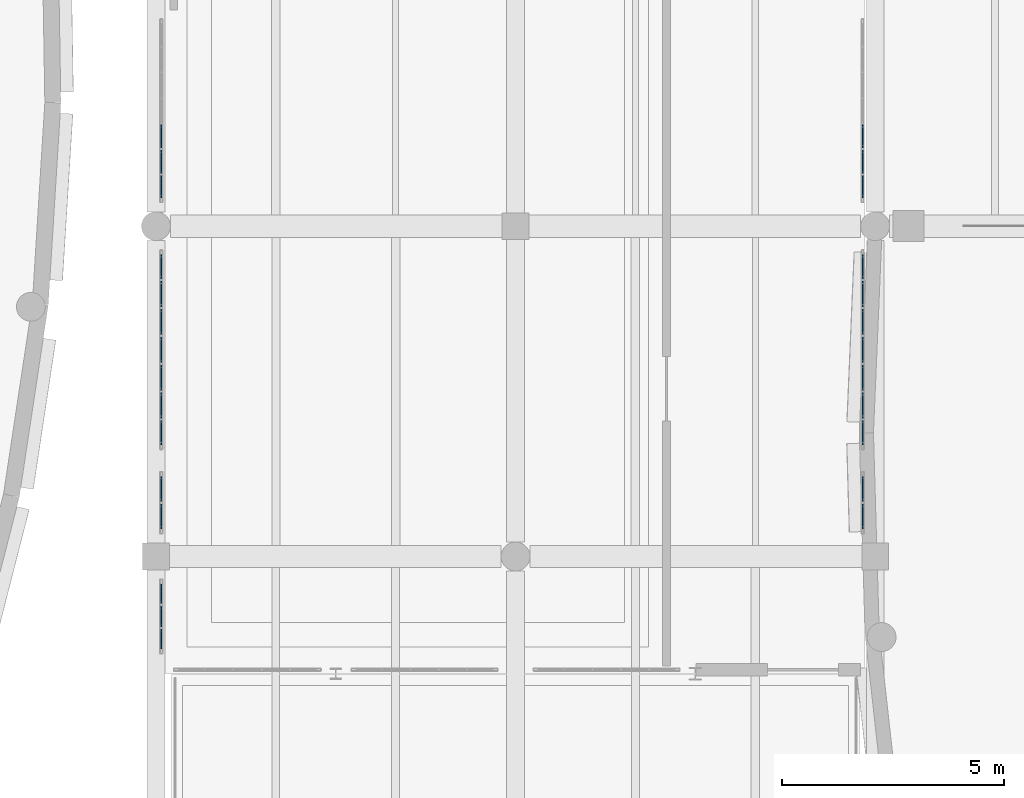
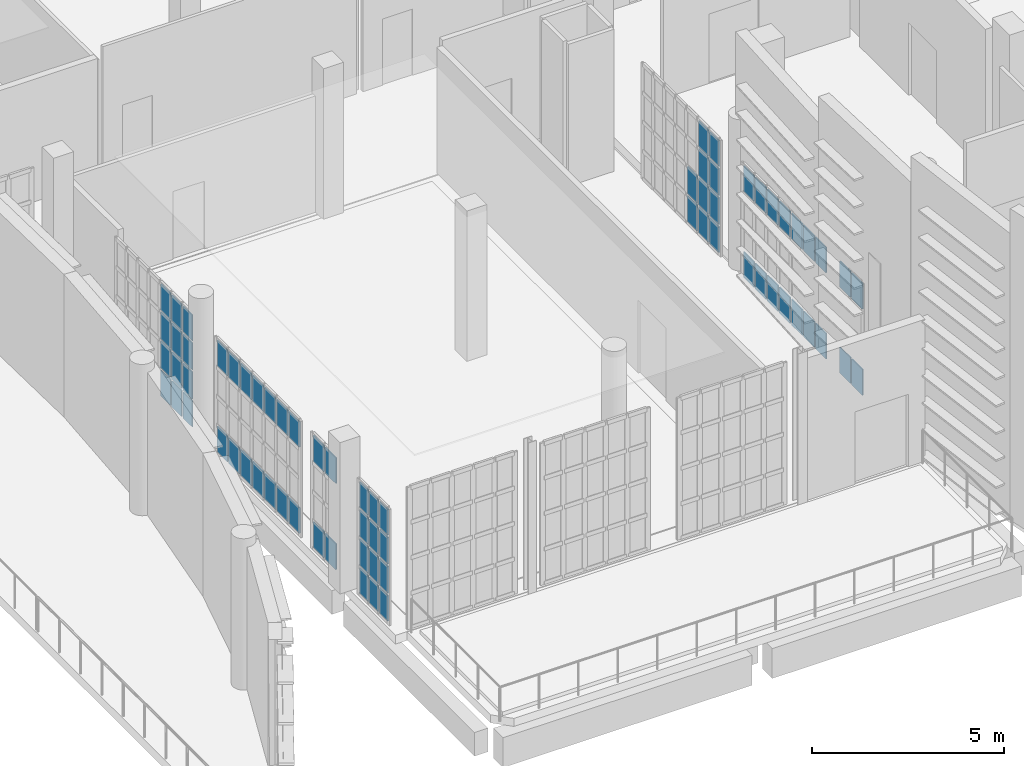
# One storey, part 83 of 104: 70 plates, 7 elements without a shape of their own.
"""IFC4 building model written with IfcOpenShell, lengths in metres."""

from ifc_helpers import new_model, si_unit, direction, frame, origin, origin_2d, place, context, subcontext, project, spatial, rectangle, extrude, material, layer, layer_set, type_object, element, aggregate, save


model = new_model("IFC4")

# Units and contexts
model_context = context("Model", 3, precision=1e-05, world=origin(), true_north=direction((0.0, 1.0)))
body_context = subcontext(model_context, "Body", "Model", "MODEL_VIEW")
ifc_project = project(units=[si_unit("LENGTHUNIT", "METRE"), si_unit("AREAUNIT", "SQUARE_METRE"), si_unit("VOLUMEUNIT", "CUBIC_METRE"), si_unit("PLANEANGLEUNIT", "RADIAN"), si_unit("MASSUNIT", "GRAM", prefix="KILO")], contexts=[model_context])

# Site, building, storey
site_placement = place(None, origin())
site = spatial("IfcSite", under=ifc_project, at=site_placement, CompositionType="ELEMENT")
building_placement = place(site_placement, origin())
building = spatial("IfcBuilding", under=site, at=building_placement, Name="Kaelora Sail Theatre", CompositionType="ELEMENT")
storey_placement = place(building_placement, frame((0.0, 0.0, 5.39990234375)))
storey = spatial("IfcBuildingStorey", under=building, at=storey_placement, Name="L01", CompositionType="ELEMENT", Elevation=5.39990234375)

# Curtain wall, plates
ifc_material_1 = material(Name="Anodised aluminium and solar-control low-E IGU", Category="aluminium")
curtain_wall_type = type_object("IfcCurtainWallType", Name="ARC-CW-CW-PROW", PredefinedType="NOTDEFINED", material=ifc_material_1)
curtain_wall_1_placement = place(storey_placement, origin())
curtain_wall_1 = element("IfcCurtainWall", 1, at=curtain_wall_1_placement, inside=storey, type_object=curtain_wall_type, Name="East Interstitial Foyer West Glazed Return L01-01", PredefinedType="NOTDEFINED")
ifc_material_2 = material(Name="Solar-control laminated low-E glass", Category="glass")
ifc_layer = layer(ifc_material_2, 0.031982421875)
ifc_layer_set = layer_set([ifc_layer], Name="Solar-control laminated low-E glass")
plate_type = type_object("IfcPlateType", Name="ARC-CW-PNL", PredefinedType="CURTAIN_PANEL", material=ifc_layer_set)
plate_1_placement = place(storey_placement, frame((106.919921875, 44.2783203125, 0.0703125), z_axis=(0.0, 0.0, 1.0), x_axis=(0.0, 1.0, 0.0)))
plate_1 = element("IfcPlate", 2, at=plate_1_placement, type_object=plate_type, Name="CW-PROW panel 1.1", PredefinedType="CURTAIN_PANEL", context=body_context, shape_type="SweptSolid", body=[
    extrude(rectangle(XDim=0.436767578125, YDim=0.031982421875, at=origin_2d()), origin(), (0.0, 0.0, 1.0), 0.816650390625),
])
plate_2_placement = place(storey_placement, frame((106.919921875, 44.2783203125, 0.95703125), z_axis=(0.0, 0.0, 1.0), x_axis=(0.0, 1.0, 0.0)))
plate_2 = element("IfcPlate", 3, at=plate_2_placement, type_object=plate_type, Name="CW-PROW panel 1.2", PredefinedType="CURTAIN_PANEL", context=body_context, shape_type="SweptSolid", body=[
    extrude(rectangle(XDim=0.436767578125, YDim=0.031982421875, at=origin_2d()), origin(), (0.0, 0.0, 1.0), 0.851806640625),
])
plate_3_placement = place(storey_placement, frame((106.919921875, 44.2783203125, 1.87841796875), z_axis=(0.0, 0.0, 1.0), x_axis=(0.0, 1.0, 0.0)))
plate_3 = element("IfcPlate", 4, at=plate_3_placement, type_object=plate_type, Name="CW-PROW panel 1.3", PredefinedType="CURTAIN_PANEL", context=body_context, shape_type="SweptSolid", body=[
    extrude(rectangle(XDim=0.436767578125, YDim=0.031982421875, at=origin_2d()), origin(), (0.0, 0.0, 1.0), 0.851806640625),
])
plate_4_placement = place(storey_placement, frame((106.919921875, 44.2783203125, 2.80029296875), z_axis=(0.0, 0.0, 1.0), x_axis=(0.0, 1.0, 0.0)))
plate_4 = element("IfcPlate", 5, at=plate_4_placement, type_object=plate_type, Name="CW-PROW panel 1.4", PredefinedType="CURTAIN_PANEL", context=body_context, shape_type="SweptSolid", body=[
    extrude(rectangle(XDim=0.436767578125, YDim=0.031982421875, at=origin_2d()), origin(), (0.0, 0.0, 1.0), 0.816650390625),
])
plate_5_placement = place(storey_placement, frame((106.919921875, 44.7900390625, 0.0703125), z_axis=(0.0, 0.0, 1.0), x_axis=(0.0, 1.0, 0.0)))
plate_5 = element("IfcPlate", 6, at=plate_5_placement, type_object=plate_type, Name="CW-PROW panel 2.1", PredefinedType="CURTAIN_PANEL", context=body_context, shape_type="SweptSolid", body=[
    extrude(rectangle(XDim=0.466552734375, YDim=0.031982421875, at=origin_2d()), origin(), (0.0, 0.0, 1.0), 0.816650390625),
])
plate_6_placement = place(storey_placement, frame((106.919921875, 44.7900390625, 0.95703125), z_axis=(0.0, 0.0, 1.0), x_axis=(0.0, 1.0, 0.0)))
plate_6 = element("IfcPlate", 7, at=plate_6_placement, type_object=plate_type, Name="CW-PROW panel 2.2", PredefinedType="CURTAIN_PANEL", context=body_context, shape_type="SweptSolid", body=[
    extrude(rectangle(XDim=0.466552734375, YDim=0.031982421875, at=origin_2d()), origin(), (0.0, 0.0, 1.0), 0.851806640625),
])
plate_7_placement = place(storey_placement, frame((106.919921875, 44.7900390625, 1.87841796875), z_axis=(0.0, 0.0, 1.0), x_axis=(0.0, 1.0, 0.0)))
plate_7 = element("IfcPlate", 8, at=plate_7_placement, type_object=plate_type, Name="CW-PROW panel 2.3", PredefinedType="CURTAIN_PANEL", context=body_context, shape_type="SweptSolid", body=[
    extrude(rectangle(XDim=0.466552734375, YDim=0.031982421875, at=origin_2d()), origin(), (0.0, 0.0, 1.0), 0.851806640625),
])
plate_8_placement = place(storey_placement, frame((106.919921875, 44.7900390625, 2.80029296875), z_axis=(0.0, 0.0, 1.0), x_axis=(0.0, 1.0, 0.0)))
plate_8 = element("IfcPlate", 9, at=plate_8_placement, type_object=plate_type, Name="CW-PROW panel 2.4", PredefinedType="CURTAIN_PANEL", context=body_context, shape_type="SweptSolid", body=[
    extrude(rectangle(XDim=0.466552734375, YDim=0.031982421875, at=origin_2d()), origin(), (0.0, 0.0, 1.0), 0.816650390625),
])
plate_9_placement = place(storey_placement, frame((106.919921875, 45.3017578125, 0.0703125), z_axis=(0.0, 0.0, 1.0), x_axis=(0.0, 1.0, 0.0)))
plate_9 = element("IfcPlate", 10, at=plate_9_placement, type_object=plate_type, Name="CW-PROW panel 3.1", PredefinedType="CURTAIN_PANEL", context=body_context, shape_type="SweptSolid", body=[
    extrude(rectangle(XDim=0.436767578125, YDim=0.031982421875, at=origin_2d()), origin(), (0.0, 0.0, 1.0), 0.816650390625),
])
plate_10_placement = place(storey_placement, frame((106.919921875, 45.3017578125, 0.95703125), z_axis=(0.0, 0.0, 1.0), x_axis=(0.0, 1.0, 0.0)))
plate_10 = element("IfcPlate", 11, at=plate_10_placement, type_object=plate_type, Name="CW-PROW panel 3.2", PredefinedType="CURTAIN_PANEL", context=body_context, shape_type="SweptSolid", body=[
    extrude(rectangle(XDim=0.436767578125, YDim=0.031982421875, at=origin_2d()), origin(), (0.0, 0.0, 1.0), 0.851806640625),
])
plate_11_placement = place(storey_placement, frame((106.919921875, 45.3017578125, 1.87841796875), z_axis=(0.0, 0.0, 1.0), x_axis=(0.0, 1.0, 0.0)))
plate_11 = element("IfcPlate", 12, at=plate_11_placement, type_object=plate_type, Name="CW-PROW panel 3.3", PredefinedType="CURTAIN_PANEL", context=body_context, shape_type="SweptSolid", body=[
    extrude(rectangle(XDim=0.436767578125, YDim=0.031982421875, at=origin_2d()), origin(), (0.0, 0.0, 1.0), 0.851806640625),
])
plate_12_placement = place(storey_placement, frame((106.919921875, 45.3017578125, 2.80029296875), z_axis=(0.0, 0.0, 1.0), x_axis=(0.0, 1.0, 0.0)))
plate_12 = element("IfcPlate", 13, at=plate_12_placement, type_object=plate_type, Name="CW-PROW panel 3.4", PredefinedType="CURTAIN_PANEL", context=body_context, shape_type="SweptSolid", body=[
    extrude(rectangle(XDim=0.436767578125, YDim=0.031982421875, at=origin_2d()), origin(), (0.0, 0.0, 1.0), 0.816650390625),
])
aggregate(curtain_wall_1, [plate_1, plate_2, plate_3, plate_4, plate_5, plate_6, plate_7, plate_8, plate_9, plate_10, plate_11, plate_12])

curtain_wall_2_placement = place(storey_placement, origin())
curtain_wall_2 = element("IfcCurtainWall", 14, at=curtain_wall_2_placement, inside=storey, type_object=curtain_wall_type, Name="East Interstitial Foyer West Glazed Return L01-01", PredefinedType="NOTDEFINED")
plate_13_placement = place(storey_placement, frame((106.919921875, 47.0400390625, 0.0703125), z_axis=(0.0, 0.0, 1.0), x_axis=(0.0, 1.0, 0.0)))
plate_13 = element("IfcPlate", 15, at=plate_13_placement, type_object=plate_type, Name="CW-PROW panel 1.1", PredefinedType="CURTAIN_PANEL", context=body_context, shape_type="SweptSolid", body=[
    extrude(rectangle(XDim=0.56005859375, YDim=0.031982421875, at=origin_2d()), origin(), (0.0, 0.0, 1.0), 0.816650390625),
])
plate_14_placement = place(storey_placement, frame((106.919921875, 47.0400390625, 2.80029296875), z_axis=(0.0, 0.0, 1.0), x_axis=(0.0, 1.0, 0.0)))
plate_14 = element("IfcPlate", 16, at=plate_14_placement, type_object=plate_type, Name="CW-PROW panel 1.4", PredefinedType="CURTAIN_PANEL", context=body_context, shape_type="SweptSolid", body=[
    extrude(rectangle(XDim=0.56005859375, YDim=0.031982421875, at=origin_2d()), origin(), (0.0, 0.0, 1.0), 0.816650390625),
])
plate_15_placement = place(storey_placement, frame((106.919921875, 47.659912109375, 0.0703125), z_axis=(0.0, 0.0, 1.0), x_axis=(0.0, 1.0, 0.0)))
plate_15 = element("IfcPlate", 17, at=plate_15_placement, type_object=plate_type, Name="CW-PROW panel 2.1", PredefinedType="CURTAIN_PANEL", context=body_context, shape_type="SweptSolid", body=[
    extrude(rectangle(XDim=0.56005859375, YDim=0.031982421875, at=origin_2d()), origin(), (0.0, 0.0, 1.0), 0.816650390625),
])
plate_16_placement = place(storey_placement, frame((106.919921875, 47.659912109375, 2.80029296875), z_axis=(0.0, 0.0, 1.0), x_axis=(0.0, 1.0, 0.0)))
plate_16 = element("IfcPlate", 18, at=plate_16_placement, type_object=plate_type, Name="CW-PROW panel 2.4", PredefinedType="CURTAIN_PANEL", context=body_context, shape_type="SweptSolid", body=[
    extrude(rectangle(XDim=0.56005859375, YDim=0.031982421875, at=origin_2d()), origin(), (0.0, 0.0, 1.0), 0.816650390625),
])
aggregate(curtain_wall_2, [plate_13, plate_14, plate_15, plate_16])

curtain_wall_3_placement = place(storey_placement, origin())
curtain_wall_3 = element("IfcCurtainWall", 19, at=curtain_wall_3_placement, inside=storey, type_object=curtain_wall_type, Name="East Interstitial Foyer East Glazed Return L01-01", PredefinedType="NOTDEFINED")
plate_17_placement = place(storey_placement, frame((122.719970703125, 47.0400390625, 0.0703125), z_axis=(0.0, 0.0, 1.0), x_axis=(0.0, 1.0, 0.0)))
plate_17 = element("IfcPlate", 20, at=plate_17_placement, type_object=plate_type, Name="CW-PROW panel 1.1", PredefinedType="CURTAIN_PANEL", context=body_context, shape_type="SweptSolid", body=[
    extrude(rectangle(XDim=0.56005859375, YDim=0.031982421875, at=origin_2d()), origin(), (0.0, 0.0, 1.0), 0.816650390625),
])
plate_18_placement = place(storey_placement, frame((122.719970703125, 47.0400390625, 2.80029296875), z_axis=(0.0, 0.0, 1.0), x_axis=(0.0, 1.0, 0.0)))
plate_18 = element("IfcPlate", 21, at=plate_18_placement, type_object=plate_type, Name="CW-PROW panel 1.4", PredefinedType="CURTAIN_PANEL", context=body_context, shape_type="SweptSolid", body=[
    extrude(rectangle(XDim=0.56005859375, YDim=0.031982421875, at=origin_2d()), origin(), (0.0, 0.0, 1.0), 0.816650390625),
])
plate_19_placement = place(storey_placement, frame((122.719970703125, 47.659912109375, 0.0703125), z_axis=(0.0, 0.0, 1.0), x_axis=(0.0, 1.0, 0.0)))
plate_19 = element("IfcPlate", 22, at=plate_19_placement, type_object=plate_type, Name="CW-PROW panel 2.1", PredefinedType="CURTAIN_PANEL", context=body_context, shape_type="SweptSolid", body=[
    extrude(rectangle(XDim=0.56005859375, YDim=0.031982421875, at=origin_2d()), origin(), (0.0, 0.0, 1.0), 0.816650390625),
])
plate_20_placement = place(storey_placement, frame((122.719970703125, 47.659912109375, 2.80029296875), z_axis=(0.0, 0.0, 1.0), x_axis=(0.0, 1.0, 0.0)))
plate_20 = element("IfcPlate", 23, at=plate_20_placement, type_object=plate_type, Name="CW-PROW panel 2.4", PredefinedType="CURTAIN_PANEL", context=body_context, shape_type="SweptSolid", body=[
    extrude(rectangle(XDim=0.56005859375, YDim=0.031982421875, at=origin_2d()), origin(), (0.0, 0.0, 1.0), 0.816650390625),
])
aggregate(curtain_wall_3, [plate_17, plate_18, plate_19, plate_20])

curtain_wall_4_placement = place(storey_placement, origin())
curtain_wall_4 = element("IfcCurtainWall", 24, at=curtain_wall_4_placement, inside=storey, type_object=curtain_wall_type, Name="East Interstitial Foyer West Glazed Return L01-02", PredefinedType="NOTDEFINED")
plate_21_placement = place(storey_placement, frame((106.919921875, 48.928955078125, 0.0703125), z_axis=(0.0, 0.0, 1.0), x_axis=(0.0, 1.0, 0.0)))
plate_21 = element("IfcPlate", 25, at=plate_21_placement, type_object=plate_type, Name="CW-PROW panel 1.1", PredefinedType="CURTAIN_PANEL", context=body_context, shape_type="SweptSolid", body=[
    extrude(rectangle(XDim=0.537841796875, YDim=0.031982421875, at=origin_2d()), origin(), (0.0, 0.0, 1.0), 0.816650390625),
])
plate_22_placement = place(storey_placement, frame((106.919921875, 48.928955078125, 2.80029296875), z_axis=(0.0, 0.0, 1.0), x_axis=(0.0, 1.0, 0.0)))
plate_22 = element("IfcPlate", 26, at=plate_22_placement, type_object=plate_type, Name="CW-PROW panel 1.4", PredefinedType="CURTAIN_PANEL", context=body_context, shape_type="SweptSolid", body=[
    extrude(rectangle(XDim=0.537841796875, YDim=0.031982421875, at=origin_2d()), origin(), (0.0, 0.0, 1.0), 0.816650390625),
])
plate_23_placement = place(storey_placement, frame((106.919921875, 49.541748046875, 0.0703125), z_axis=(0.0, 0.0, 1.0), x_axis=(0.0, 1.0, 0.0)))
plate_23 = element("IfcPlate", 27, at=plate_23_placement, type_object=plate_type, Name="CW-PROW panel 2.1", PredefinedType="CURTAIN_PANEL", context=body_context, shape_type="SweptSolid", body=[
    extrude(rectangle(XDim=0.56787109375, YDim=0.031982421875, at=origin_2d()), origin(), (0.0, 0.0, 1.0), 0.816650390625),
])
plate_24_placement = place(storey_placement, frame((106.919921875, 49.541748046875, 2.80029296875), z_axis=(0.0, 0.0, 1.0), x_axis=(0.0, 1.0, 0.0)))
plate_24 = element("IfcPlate", 28, at=plate_24_placement, type_object=plate_type, Name="CW-PROW panel 2.4", PredefinedType="CURTAIN_PANEL", context=body_context, shape_type="SweptSolid", body=[
    extrude(rectangle(XDim=0.56787109375, YDim=0.031982421875, at=origin_2d()), origin(), (0.0, 0.0, 1.0), 0.816650390625),
])
plate_25_placement = place(storey_placement, frame((106.919921875, 50.169677734375, 0.0703125), z_axis=(0.0, 0.0, 1.0), x_axis=(0.0, 1.0, 0.0)))
plate_25 = element("IfcPlate", 29, at=plate_25_placement, type_object=plate_type, Name="CW-PROW panel 3.1", PredefinedType="CURTAIN_PANEL", context=body_context, shape_type="SweptSolid", body=[
    extrude(rectangle(XDim=0.56787109375, YDim=0.031982421875, at=origin_2d()), origin(), (0.0, 0.0, 1.0), 0.816650390625),
])
plate_26_placement = place(storey_placement, frame((106.919921875, 50.169677734375, 2.80029296875), z_axis=(0.0, 0.0, 1.0), x_axis=(0.0, 1.0, 0.0)))
plate_26 = element("IfcPlate", 30, at=plate_26_placement, type_object=plate_type, Name="CW-PROW panel 3.4", PredefinedType="CURTAIN_PANEL", context=body_context, shape_type="SweptSolid", body=[
    extrude(rectangle(XDim=0.56787109375, YDim=0.031982421875, at=origin_2d()), origin(), (0.0, 0.0, 1.0), 0.816650390625),
])
plate_27_placement = place(storey_placement, frame((106.919921875, 50.797607421875, 0.0703125), z_axis=(0.0, 0.0, 1.0), x_axis=(0.0, 1.0, 0.0)))
plate_27 = element("IfcPlate", 31, at=plate_27_placement, type_object=plate_type, Name="CW-PROW panel 4.1", PredefinedType="CURTAIN_PANEL", context=body_context, shape_type="SweptSolid", body=[
    extrude(rectangle(XDim=0.56787109375, YDim=0.031982421875, at=origin_2d()), origin(), (0.0, 0.0, 1.0), 0.816650390625),
])
plate_28_placement = place(storey_placement, frame((106.919921875, 50.797607421875, 2.80029296875), z_axis=(0.0, 0.0, 1.0), x_axis=(0.0, 1.0, 0.0)))
plate_28 = element("IfcPlate", 32, at=plate_28_placement, type_object=plate_type, Name="CW-PROW panel 4.4", PredefinedType="CURTAIN_PANEL", context=body_context, shape_type="SweptSolid", body=[
    extrude(rectangle(XDim=0.56787109375, YDim=0.031982421875, at=origin_2d()), origin(), (0.0, 0.0, 1.0), 0.816650390625),
])
plate_29_placement = place(storey_placement, frame((106.919921875, 51.42529296875, 0.0703125), z_axis=(0.0, 0.0, 1.0), x_axis=(0.0, 1.0, 0.0)))
plate_29 = element("IfcPlate", 33, at=plate_29_placement, type_object=plate_type, Name="CW-PROW panel 5.1", PredefinedType="CURTAIN_PANEL", context=body_context, shape_type="SweptSolid", body=[
    extrude(rectangle(XDim=0.56787109375, YDim=0.031982421875, at=origin_2d()), origin(), (0.0, 0.0, 1.0), 0.816650390625),
])
plate_30_placement = place(storey_placement, frame((106.919921875, 51.42529296875, 2.80029296875), z_axis=(0.0, 0.0, 1.0), x_axis=(0.0, 1.0, 0.0)))
plate_30 = element("IfcPlate", 34, at=plate_30_placement, type_object=plate_type, Name="CW-PROW panel 5.4", PredefinedType="CURTAIN_PANEL", context=body_context, shape_type="SweptSolid", body=[
    extrude(rectangle(XDim=0.56787109375, YDim=0.031982421875, at=origin_2d()), origin(), (0.0, 0.0, 1.0), 0.816650390625),
])
plate_31_placement = place(storey_placement, frame((106.919921875, 52.05322265625, 0.0703125), z_axis=(0.0, 0.0, 1.0), x_axis=(0.0, 1.0, 0.0)))
plate_31 = element("IfcPlate", 35, at=plate_31_placement, type_object=plate_type, Name="CW-PROW panel 6.1", PredefinedType="CURTAIN_PANEL", context=body_context, shape_type="SweptSolid", body=[
    extrude(rectangle(XDim=0.56787109375, YDim=0.031982421875, at=origin_2d()), origin(), (0.0, 0.0, 1.0), 0.816650390625),
])
plate_32_placement = place(storey_placement, frame((106.919921875, 52.05322265625, 2.80029296875), z_axis=(0.0, 0.0, 1.0), x_axis=(0.0, 1.0, 0.0)))
plate_32 = element("IfcPlate", 36, at=plate_32_placement, type_object=plate_type, Name="CW-PROW panel 6.4", PredefinedType="CURTAIN_PANEL", context=body_context, shape_type="SweptSolid", body=[
    extrude(rectangle(XDim=0.56787109375, YDim=0.031982421875, at=origin_2d()), origin(), (0.0, 0.0, 1.0), 0.816650390625),
])
plate_33_placement = place(storey_placement, frame((106.919921875, 52.666015625, 0.0703125), z_axis=(0.0, 0.0, 1.0), x_axis=(0.0, 1.0, 0.0)))
plate_33 = element("IfcPlate", 37, at=plate_33_placement, type_object=plate_type, Name="CW-PROW panel 7.1", PredefinedType="CURTAIN_PANEL", context=body_context, shape_type="SweptSolid", body=[
    extrude(rectangle(XDim=0.537841796875, YDim=0.031982421875, at=origin_2d()), origin(), (0.0, 0.0, 1.0), 0.816650390625),
])
plate_34_placement = place(storey_placement, frame((106.919921875, 52.666015625, 2.80029296875), z_axis=(0.0, 0.0, 1.0), x_axis=(0.0, 1.0, 0.0)))
plate_34 = element("IfcPlate", 38, at=plate_34_placement, type_object=plate_type, Name="CW-PROW panel 7.4", PredefinedType="CURTAIN_PANEL", context=body_context, shape_type="SweptSolid", body=[
    extrude(rectangle(XDim=0.537841796875, YDim=0.031982421875, at=origin_2d()), origin(), (0.0, 0.0, 1.0), 0.816650390625),
])
aggregate(curtain_wall_4, [plate_21, plate_22, plate_23, plate_24, plate_25, plate_26, plate_27, plate_28, plate_29, plate_30, plate_31, plate_32, plate_33, plate_34])

curtain_wall_5_placement = place(storey_placement, origin())
curtain_wall_5 = element("IfcCurtainWall", 39, at=curtain_wall_5_placement, inside=storey, type_object=curtain_wall_type, Name="East Interstitial Foyer East Glazed Return L01-02", PredefinedType="NOTDEFINED")
plate_35_placement = place(storey_placement, frame((122.719970703125, 48.928955078125, 0.0703125), z_axis=(0.0, 0.0, 1.0), x_axis=(0.0, 1.0, 0.0)))
plate_35 = element("IfcPlate", 40, at=plate_35_placement, type_object=plate_type, Name="CW-PROW panel 1.1", PredefinedType="CURTAIN_PANEL", context=body_context, shape_type="SweptSolid", body=[
    extrude(rectangle(XDim=0.537841796875, YDim=0.031982421875, at=origin_2d()), origin(), (0.0, 0.0, 1.0), 0.816650390625),
])
plate_36_placement = place(storey_placement, frame((122.719970703125, 48.928955078125, 2.80029296875), z_axis=(0.0, 0.0, 1.0), x_axis=(0.0, 1.0, 0.0)))
plate_36 = element("IfcPlate", 41, at=plate_36_placement, type_object=plate_type, Name="CW-PROW panel 1.4", PredefinedType="CURTAIN_PANEL", context=body_context, shape_type="SweptSolid", body=[
    extrude(rectangle(XDim=0.537841796875, YDim=0.031982421875, at=origin_2d()), origin(), (0.0, 0.0, 1.0), 0.816650390625),
])
plate_37_placement = place(storey_placement, frame((122.719970703125, 49.541748046875, 0.0703125), z_axis=(0.0, 0.0, 1.0), x_axis=(0.0, 1.0, 0.0)))
plate_37 = element("IfcPlate", 42, at=plate_37_placement, type_object=plate_type, Name="CW-PROW panel 2.1", PredefinedType="CURTAIN_PANEL", context=body_context, shape_type="SweptSolid", body=[
    extrude(rectangle(XDim=0.56787109375, YDim=0.031982421875, at=origin_2d()), origin(), (0.0, 0.0, 1.0), 0.816650390625),
])
plate_38_placement = place(storey_placement, frame((122.719970703125, 49.541748046875, 2.80029296875), z_axis=(0.0, 0.0, 1.0), x_axis=(0.0, 1.0, 0.0)))
plate_38 = element("IfcPlate", 43, at=plate_38_placement, type_object=plate_type, Name="CW-PROW panel 2.4", PredefinedType="CURTAIN_PANEL", context=body_context, shape_type="SweptSolid", body=[
    extrude(rectangle(XDim=0.56787109375, YDim=0.031982421875, at=origin_2d()), origin(), (0.0, 0.0, 1.0), 0.816650390625),
])
plate_39_placement = place(storey_placement, frame((122.719970703125, 50.169677734375, 0.0703125), z_axis=(0.0, 0.0, 1.0), x_axis=(0.0, 1.0, 0.0)))
plate_39 = element("IfcPlate", 44, at=plate_39_placement, type_object=plate_type, Name="CW-PROW panel 3.1", PredefinedType="CURTAIN_PANEL", context=body_context, shape_type="SweptSolid", body=[
    extrude(rectangle(XDim=0.56787109375, YDim=0.031982421875, at=origin_2d()), origin(), (0.0, 0.0, 1.0), 0.816650390625),
])
plate_40_placement = place(storey_placement, frame((122.719970703125, 50.169677734375, 2.80029296875), z_axis=(0.0, 0.0, 1.0), x_axis=(0.0, 1.0, 0.0)))
plate_40 = element("IfcPlate", 45, at=plate_40_placement, type_object=plate_type, Name="CW-PROW panel 3.4", PredefinedType="CURTAIN_PANEL", context=body_context, shape_type="SweptSolid", body=[
    extrude(rectangle(XDim=0.56787109375, YDim=0.031982421875, at=origin_2d()), origin(), (0.0, 0.0, 1.0), 0.816650390625),
])
plate_41_placement = place(storey_placement, frame((122.719970703125, 50.797607421875, 0.0703125), z_axis=(0.0, 0.0, 1.0), x_axis=(0.0, 1.0, 0.0)))
plate_41 = element("IfcPlate", 46, at=plate_41_placement, type_object=plate_type, Name="CW-PROW panel 4.1", PredefinedType="CURTAIN_PANEL", context=body_context, shape_type="SweptSolid", body=[
    extrude(rectangle(XDim=0.56787109375, YDim=0.031982421875, at=origin_2d()), origin(), (0.0, 0.0, 1.0), 0.816650390625),
])
plate_42_placement = place(storey_placement, frame((122.719970703125, 50.797607421875, 2.80029296875), z_axis=(0.0, 0.0, 1.0), x_axis=(0.0, 1.0, 0.0)))
plate_42 = element("IfcPlate", 47, at=plate_42_placement, type_object=plate_type, Name="CW-PROW panel 4.4", PredefinedType="CURTAIN_PANEL", context=body_context, shape_type="SweptSolid", body=[
    extrude(rectangle(XDim=0.56787109375, YDim=0.031982421875, at=origin_2d()), origin(), (0.0, 0.0, 1.0), 0.816650390625),
])
plate_43_placement = place(storey_placement, frame((122.719970703125, 51.42529296875, 0.0703125), z_axis=(0.0, 0.0, 1.0), x_axis=(0.0, 1.0, 0.0)))
plate_43 = element("IfcPlate", 48, at=plate_43_placement, type_object=plate_type, Name="CW-PROW panel 5.1", PredefinedType="CURTAIN_PANEL", context=body_context, shape_type="SweptSolid", body=[
    extrude(rectangle(XDim=0.56787109375, YDim=0.031982421875, at=origin_2d()), origin(), (0.0, 0.0, 1.0), 0.816650390625),
])
plate_44_placement = place(storey_placement, frame((122.719970703125, 51.42529296875, 2.80029296875), z_axis=(0.0, 0.0, 1.0), x_axis=(0.0, 1.0, 0.0)))
plate_44 = element("IfcPlate", 49, at=plate_44_placement, type_object=plate_type, Name="CW-PROW panel 5.4", PredefinedType="CURTAIN_PANEL", context=body_context, shape_type="SweptSolid", body=[
    extrude(rectangle(XDim=0.56787109375, YDim=0.031982421875, at=origin_2d()), origin(), (0.0, 0.0, 1.0), 0.816650390625),
])
plate_45_placement = place(storey_placement, frame((122.719970703125, 52.05322265625, 0.0703125), z_axis=(0.0, 0.0, 1.0), x_axis=(0.0, 1.0, 0.0)))
plate_45 = element("IfcPlate", 50, at=plate_45_placement, type_object=plate_type, Name="CW-PROW panel 6.1", PredefinedType="CURTAIN_PANEL", context=body_context, shape_type="SweptSolid", body=[
    extrude(rectangle(XDim=0.56787109375, YDim=0.031982421875, at=origin_2d()), origin(), (0.0, 0.0, 1.0), 0.816650390625),
])
plate_46_placement = place(storey_placement, frame((122.719970703125, 52.05322265625, 2.80029296875), z_axis=(0.0, 0.0, 1.0), x_axis=(0.0, 1.0, 0.0)))
plate_46 = element("IfcPlate", 51, at=plate_46_placement, type_object=plate_type, Name="CW-PROW panel 6.4", PredefinedType="CURTAIN_PANEL", context=body_context, shape_type="SweptSolid", body=[
    extrude(rectangle(XDim=0.56787109375, YDim=0.031982421875, at=origin_2d()), origin(), (0.0, 0.0, 1.0), 0.816650390625),
])
plate_47_placement = place(storey_placement, frame((122.719970703125, 52.666015625, 0.0703125), z_axis=(0.0, 0.0, 1.0), x_axis=(0.0, 1.0, 0.0)))
plate_47 = element("IfcPlate", 52, at=plate_47_placement, type_object=plate_type, Name="CW-PROW panel 7.1", PredefinedType="CURTAIN_PANEL", context=body_context, shape_type="SweptSolid", body=[
    extrude(rectangle(XDim=0.537841796875, YDim=0.031982421875, at=origin_2d()), origin(), (0.0, 0.0, 1.0), 0.816650390625),
])
plate_48_placement = place(storey_placement, frame((122.719970703125, 52.666015625, 2.80029296875), z_axis=(0.0, 0.0, 1.0), x_axis=(0.0, 1.0, 0.0)))
plate_48 = element("IfcPlate", 53, at=plate_48_placement, type_object=plate_type, Name="CW-PROW panel 7.4", PredefinedType="CURTAIN_PANEL", context=body_context, shape_type="SweptSolid", body=[
    extrude(rectangle(XDim=0.537841796875, YDim=0.031982421875, at=origin_2d()), origin(), (0.0, 0.0, 1.0), 0.816650390625),
])
aggregate(curtain_wall_5, [plate_35, plate_36, plate_37, plate_38, plate_39, plate_40, plate_41, plate_42, plate_43, plate_44, plate_45, plate_46, plate_47, plate_48])

curtain_wall_6_placement = place(storey_placement, origin())
curtain_wall_6 = element("IfcCurtainWall", 54, at=curtain_wall_6_placement, inside=storey, type_object=curtain_wall_type, Name="East Interstitial Foyer West Glazed Return L01-03", PredefinedType="NOTDEFINED")
plate_49_placement = place(storey_placement, frame((106.919921875, 54.46826171875, 0.0703125), z_axis=(0.0, 0.0, 1.0), x_axis=(0.0, 1.0, 0.0)))
plate_49 = element("IfcPlate", 55, at=plate_49_placement, type_object=plate_type, Name="CW-PROW panel 1.1", PredefinedType="CURTAIN_PANEL", context=body_context, shape_type="SweptSolid", body=[
    extrude(rectangle(XDim=0.486328125, YDim=0.031982421875, at=origin_2d()), origin(), (0.0, 0.0, 1.0), 0.816650390625),
])
plate_50_placement = place(storey_placement, frame((106.919921875, 54.46826171875, 0.95703125), z_axis=(0.0, 0.0, 1.0), x_axis=(0.0, 1.0, 0.0)))
plate_50 = element("IfcPlate", 56, at=plate_50_placement, type_object=plate_type, Name="CW-PROW panel 1.2", PredefinedType="CURTAIN_PANEL", context=body_context, shape_type="SweptSolid", body=[
    extrude(rectangle(XDim=0.486328125, YDim=0.031982421875, at=origin_2d()), origin(), (0.0, 0.0, 1.0), 0.851806640625),
])
plate_51_placement = place(storey_placement, frame((106.919921875, 54.46826171875, 1.87841796875), z_axis=(0.0, 0.0, 1.0), x_axis=(0.0, 1.0, 0.0)))
plate_51 = element("IfcPlate", 57, at=plate_51_placement, type_object=plate_type, Name="CW-PROW panel 1.3", PredefinedType="CURTAIN_PANEL", context=body_context, shape_type="SweptSolid", body=[
    extrude(rectangle(XDim=0.486328125, YDim=0.031982421875, at=origin_2d()), origin(), (0.0, 0.0, 1.0), 0.851806640625),
])
plate_52_placement = place(storey_placement, frame((106.919921875, 54.46826171875, 2.80029296875), z_axis=(0.0, 0.0, 1.0), x_axis=(0.0, 1.0, 0.0)))
plate_52 = element("IfcPlate", 58, at=plate_52_placement, type_object=plate_type, Name="CW-PROW panel 1.4", PredefinedType="CURTAIN_PANEL", context=body_context, shape_type="SweptSolid", body=[
    extrude(rectangle(XDim=0.486328125, YDim=0.031982421875, at=origin_2d()), origin(), (0.0, 0.0, 1.0), 0.816650390625),
])
plate_53_placement = place(storey_placement, frame((106.919921875, 55.029541015625, 0.0703125), z_axis=(0.0, 0.0, 1.0), x_axis=(0.0, 1.0, 0.0)))
plate_53 = element("IfcPlate", 59, at=plate_53_placement, type_object=plate_type, Name="CW-PROW panel 2.1", PredefinedType="CURTAIN_PANEL", context=body_context, shape_type="SweptSolid", body=[
    extrude(rectangle(XDim=0.516357421875, YDim=0.031982421875, at=origin_2d()), origin(), (0.0, 0.0, 1.0), 0.816650390625),
])
plate_54_placement = place(storey_placement, frame((106.919921875, 55.029541015625, 0.95703125), z_axis=(0.0, 0.0, 1.0), x_axis=(0.0, 1.0, 0.0)))
plate_54 = element("IfcPlate", 60, at=plate_54_placement, type_object=plate_type, Name="CW-PROW panel 2.2", PredefinedType="CURTAIN_PANEL", context=body_context, shape_type="SweptSolid", body=[
    extrude(rectangle(XDim=0.516357421875, YDim=0.031982421875, at=origin_2d()), origin(), (0.0, 0.0, 1.0), 0.851806640625),
])
plate_55_placement = place(storey_placement, frame((106.919921875, 55.029541015625, 1.87841796875), z_axis=(0.0, 0.0, 1.0), x_axis=(0.0, 1.0, 0.0)))
plate_55 = element("IfcPlate", 61, at=plate_55_placement, type_object=plate_type, Name="CW-PROW panel 2.3", PredefinedType="CURTAIN_PANEL", context=body_context, shape_type="SweptSolid", body=[
    extrude(rectangle(XDim=0.516357421875, YDim=0.031982421875, at=origin_2d()), origin(), (0.0, 0.0, 1.0), 0.851806640625),
])
plate_56_placement = place(storey_placement, frame((106.919921875, 55.029541015625, 2.80029296875), z_axis=(0.0, 0.0, 1.0), x_axis=(0.0, 1.0, 0.0)))
plate_56 = element("IfcPlate", 62, at=plate_56_placement, type_object=plate_type, Name="CW-PROW panel 2.4", PredefinedType="CURTAIN_PANEL", context=body_context, shape_type="SweptSolid", body=[
    extrude(rectangle(XDim=0.516357421875, YDim=0.031982421875, at=origin_2d()), origin(), (0.0, 0.0, 1.0), 0.816650390625),
])
plate_57_placement = place(storey_placement, frame((106.919921875, 55.60595703125, 0.0703125), z_axis=(0.0, 0.0, 1.0), x_axis=(0.0, 1.0, 0.0)))
plate_57 = element("IfcPlate", 63, at=plate_57_placement, type_object=plate_type, Name="CW-PROW panel 3.1", PredefinedType="CURTAIN_PANEL", context=body_context, shape_type="SweptSolid", body=[
    extrude(rectangle(XDim=0.516357421875, YDim=0.031982421875, at=origin_2d()), origin(), (0.0, 0.0, 1.0), 0.816650390625),
])
plate_58_placement = place(storey_placement, frame((106.919921875, 55.60595703125, 0.95703125), z_axis=(0.0, 0.0, 1.0), x_axis=(0.0, 1.0, 0.0)))
plate_58 = element("IfcPlate", 64, at=plate_58_placement, type_object=plate_type, Name="CW-PROW panel 3.2", PredefinedType="CURTAIN_PANEL", context=body_context, shape_type="SweptSolid", body=[
    extrude(rectangle(XDim=0.516357421875, YDim=0.031982421875, at=origin_2d()), origin(), (0.0, 0.0, 1.0), 0.851806640625),
])
plate_59_placement = place(storey_placement, frame((106.919921875, 55.60595703125, 1.87841796875), z_axis=(0.0, 0.0, 1.0), x_axis=(0.0, 1.0, 0.0)))
plate_59 = element("IfcPlate", 65, at=plate_59_placement, type_object=plate_type, Name="CW-PROW panel 3.3", PredefinedType="CURTAIN_PANEL", context=body_context, shape_type="SweptSolid", body=[
    extrude(rectangle(XDim=0.516357421875, YDim=0.031982421875, at=origin_2d()), origin(), (0.0, 0.0, 1.0), 0.851806640625),
])
plate_60_placement = place(storey_placement, frame((106.919921875, 55.60595703125, 2.80029296875), z_axis=(0.0, 0.0, 1.0), x_axis=(0.0, 1.0, 0.0)))
plate_60 = element("IfcPlate", 66, at=plate_60_placement, type_object=plate_type, Name="CW-PROW panel 3.4", PredefinedType="CURTAIN_PANEL", context=body_context, shape_type="SweptSolid", body=[
    extrude(rectangle(XDim=0.516357421875, YDim=0.031982421875, at=origin_2d()), origin(), (0.0, 0.0, 1.0), 0.816650390625),
])
aggregate(curtain_wall_6, [plate_49, plate_50, plate_51, plate_52, plate_53, plate_54, plate_55, plate_56, plate_57, plate_58, plate_59, plate_60])

curtain_wall_7_placement = place(storey_placement, origin())
curtain_wall_7 = element("IfcCurtainWall", 67, at=curtain_wall_7_placement, inside=storey, type_object=curtain_wall_type, Name="East Interstitial Foyer East Glazed Return L01-03", PredefinedType="NOTDEFINED")
plate_61_placement = place(storey_placement, frame((122.719970703125, 54.46826171875, 0.0703125), z_axis=(0.0, 0.0, 1.0), x_axis=(0.0, 1.0, 0.0)))
plate_61 = element("IfcPlate", 68, at=plate_61_placement, type_object=plate_type, Name="CW-PROW panel 1.1", PredefinedType="CURTAIN_PANEL", context=body_context, shape_type="SweptSolid", body=[
    extrude(rectangle(XDim=0.486328125, YDim=0.031982421875, at=origin_2d()), origin(), (0.0, 0.0, 1.0), 0.816650390625),
])
plate_62_placement = place(storey_placement, frame((122.719970703125, 54.46826171875, 0.95703125), z_axis=(0.0, 0.0, 1.0), x_axis=(0.0, 1.0, 0.0)))
plate_62 = element("IfcPlate", 69, at=plate_62_placement, type_object=plate_type, Name="CW-PROW panel 1.2", PredefinedType="CURTAIN_PANEL", context=body_context, shape_type="SweptSolid", body=[
    extrude(rectangle(XDim=0.486328125, YDim=0.031982421875, at=origin_2d()), origin(), (0.0, 0.0, 1.0), 0.851806640625),
])
plate_63_placement = place(storey_placement, frame((122.719970703125, 54.46826171875, 1.87841796875), z_axis=(0.0, 0.0, 1.0), x_axis=(0.0, 1.0, 0.0)))
plate_63 = element("IfcPlate", 70, at=plate_63_placement, type_object=plate_type, Name="CW-PROW panel 1.3", PredefinedType="CURTAIN_PANEL", context=body_context, shape_type="SweptSolid", body=[
    extrude(rectangle(XDim=0.486328125, YDim=0.031982421875, at=origin_2d()), origin(), (0.0, 0.0, 1.0), 0.851806640625),
])
plate_64_placement = place(storey_placement, frame((122.719970703125, 54.46826171875, 2.80029296875), z_axis=(0.0, 0.0, 1.0), x_axis=(0.0, 1.0, 0.0)))
plate_64 = element("IfcPlate", 71, at=plate_64_placement, type_object=plate_type, Name="CW-PROW panel 1.4", PredefinedType="CURTAIN_PANEL", context=body_context, shape_type="SweptSolid", body=[
    extrude(rectangle(XDim=0.486328125, YDim=0.031982421875, at=origin_2d()), origin(), (0.0, 0.0, 1.0), 0.816650390625),
])
plate_65_placement = place(storey_placement, frame((122.719970703125, 55.029541015625, 0.0703125), z_axis=(0.0, 0.0, 1.0), x_axis=(0.0, 1.0, 0.0)))
plate_65 = element("IfcPlate", 72, at=plate_65_placement, type_object=plate_type, Name="CW-PROW panel 2.1", PredefinedType="CURTAIN_PANEL", context=body_context, shape_type="SweptSolid", body=[
    extrude(rectangle(XDim=0.516357421875, YDim=0.031982421875, at=origin_2d()), origin(), (0.0, 0.0, 1.0), 0.816650390625),
])
plate_66_placement = place(storey_placement, frame((122.719970703125, 55.029541015625, 0.95703125), z_axis=(0.0, 0.0, 1.0), x_axis=(0.0, 1.0, 0.0)))
plate_66 = element("IfcPlate", 73, at=plate_66_placement, type_object=plate_type, Name="CW-PROW panel 2.2", PredefinedType="CURTAIN_PANEL", context=body_context, shape_type="SweptSolid", body=[
    extrude(rectangle(XDim=0.516357421875, YDim=0.031982421875, at=origin_2d()), origin(), (0.0, 0.0, 1.0), 0.851806640625),
])
plate_67_placement = place(storey_placement, frame((122.719970703125, 55.029541015625, 1.87841796875), z_axis=(0.0, 0.0, 1.0), x_axis=(0.0, 1.0, 0.0)))
plate_67 = element("IfcPlate", 74, at=plate_67_placement, type_object=plate_type, Name="CW-PROW panel 2.3", PredefinedType="CURTAIN_PANEL", context=body_context, shape_type="SweptSolid", body=[
    extrude(rectangle(XDim=0.516357421875, YDim=0.031982421875, at=origin_2d()), origin(), (0.0, 0.0, 1.0), 0.851806640625),
])
plate_68_placement = place(storey_placement, frame((122.719970703125, 55.029541015625, 2.80029296875), z_axis=(0.0, 0.0, 1.0), x_axis=(0.0, 1.0, 0.0)))
plate_68 = element("IfcPlate", 75, at=plate_68_placement, type_object=plate_type, Name="CW-PROW panel 2.4", PredefinedType="CURTAIN_PANEL", context=body_context, shape_type="SweptSolid", body=[
    extrude(rectangle(XDim=0.516357421875, YDim=0.031982421875, at=origin_2d()), origin(), (0.0, 0.0, 1.0), 0.816650390625),
])
plate_69_placement = place(storey_placement, frame((122.719970703125, 55.60595703125, 0.0703125), z_axis=(0.0, 0.0, 1.0), x_axis=(0.0, 1.0, 0.0)))
plate_69 = element("IfcPlate", 76, at=plate_69_placement, type_object=plate_type, Name="CW-PROW panel 3.1", PredefinedType="CURTAIN_PANEL", context=body_context, shape_type="SweptSolid", body=[
    extrude(rectangle(XDim=0.516357421875, YDim=0.031982421875, at=origin_2d()), origin(), (0.0, 0.0, 1.0), 0.816650390625),
])
plate_70_placement = place(storey_placement, frame((122.719970703125, 55.60595703125, 0.95703125), z_axis=(0.0, 0.0, 1.0), x_axis=(0.0, 1.0, 0.0)))
plate_70 = element("IfcPlate", 77, at=plate_70_placement, type_object=plate_type, Name="CW-PROW panel 3.2", PredefinedType="CURTAIN_PANEL", context=body_context, shape_type="SweptSolid", body=[
    extrude(rectangle(XDim=0.516357421875, YDim=0.031982421875, at=origin_2d()), origin(), (0.0, 0.0, 1.0), 0.851806640625),
])
aggregate(curtain_wall_7, [plate_61, plate_62, plate_63, plate_64, plate_65, plate_66, plate_67, plate_68, plate_69, plate_70])

save(model, "model.ifc")
